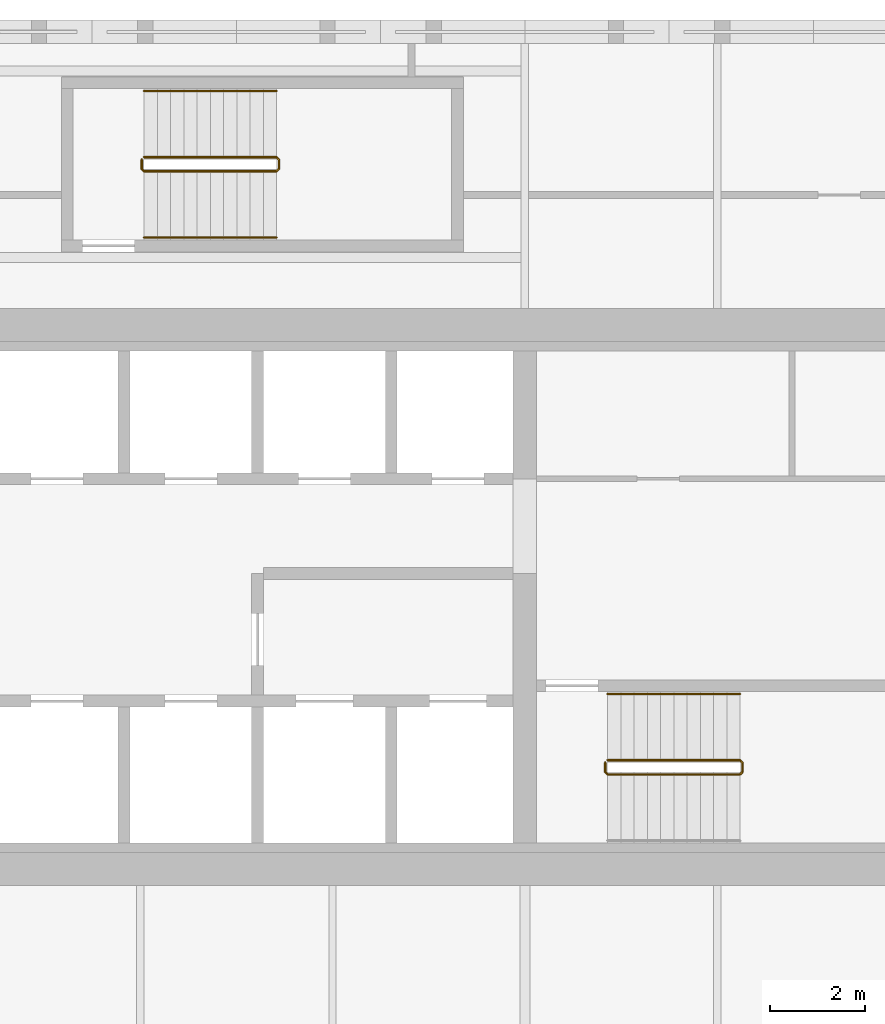
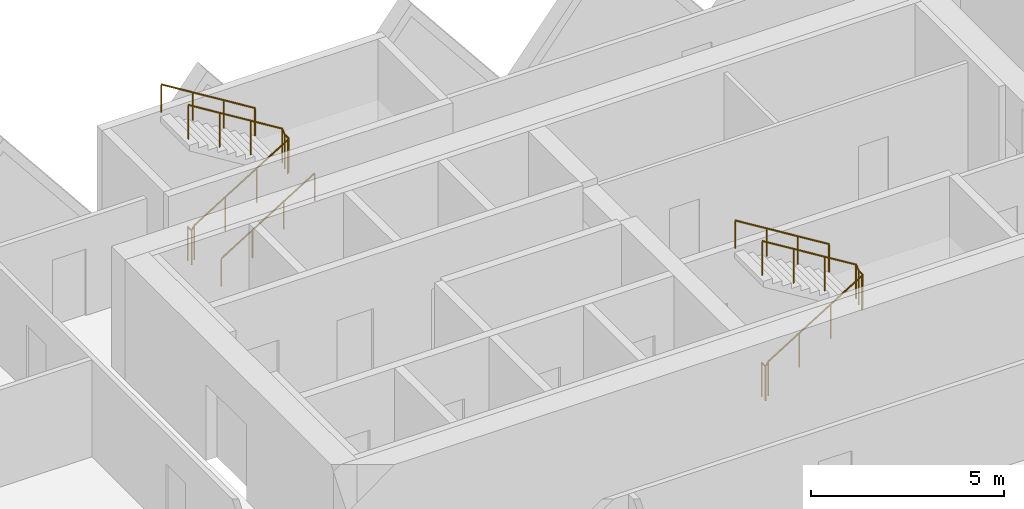
# One storey, part 18 of 18: 5 railings.
"""IFC4 building model written with IfcOpenShell, lengths in metres."""

from ifc_helpers import new_model, si_unit, direction, frame, origin, origin_2d, place, context, subcontext, project, spatial, circle, extrude, material, type_object, element, save


model = new_model("IFC4")

# Units and contexts
model_context = context("Model", 3, precision=1e-05, world=origin(), true_north=direction((0.0, 1.0)))
body_context = subcontext(model_context, "Body", "Model", "MODEL_VIEW")
ifc_project = project(units=[si_unit("LENGTHUNIT", "METRE"), si_unit("AREAUNIT", "SQUARE_METRE"), si_unit("VOLUMEUNIT", "CUBIC_METRE"), si_unit("PLANEANGLEUNIT", "RADIAN"), si_unit("MASSUNIT", "GRAM", prefix="KILO")], contexts=[model_context])

# Site, building, storey
site_placement = place(None, origin())
site = spatial("IfcSite", under=ifc_project, at=site_placement, CompositionType="ELEMENT")
building_placement = place(site_placement, origin())
building = spatial("IfcBuilding", under=site, at=building_placement, Name="Tessera Gate Towers", CompositionType="ELEMENT")
storey_placement = place(building_placement, frame((0.0, 0.0, 41.0)))
storey = spatial("IfcBuildingStorey", under=building, at=storey_placement, Name="L09", CompositionType="ELEMENT", Elevation=41.0)

# Railings
ifc_material_1 = material(Name="Steel 350W", Category="steel")
railing_type_1 = type_object("IfcRailingType", Name="STAIR GUARD 1100", PredefinedType="GUARDRAIL", material=ifc_material_1)
railing_1_placement = place(storey_placement, frame((111.5, 39.199951171875, 0.0)))
element("IfcRailing", 1, at=railing_1_placement, inside=storey, type_object=railing_type_1, Name="L09 ST6 stair guard 1", PredefinedType="GUARDRAIL", context=body_context, shape_type="SweptSolid", body=[
    extrude(circle(Radius=0.02392578125, at=origin_2d()), frame((0.0, 0.0, 1.076171875), z_axis=(0.0, -1.0, 0.0), x_axis=(1.0, 0.0, 0.0)), (0.0, 0.0, 1.0), 0.199951171875),
    extrude(circle(Radius=0.02392578125, at=origin_2d()), frame((0.0, -0.199951171875, 1.076171875), z_axis=(0.268277960024, -0.268277960024, 0.925231793839), x_axis=(0.707106781187, 0.707106781187, 0.0)), (0.0, 0.0, 1.0), 0.1865234375),
    extrude(circle(Radius=0.02392578125, at=origin_2d()), frame((0.050048828125, -0.25, 1.24853515625), z_axis=(0.851089632645, 0.0, 0.525020415988), x_axis=(0.0, 1.0, 0.0)), (0.0, 0.0, 1.0), 3.2900390625),
    extrude(circle(Radius=0.02392578125, at=origin_2d()), frame((2.85009765625, -0.25, 2.97607421875), z_axis=(0.705375805398, 0.708833529934, 0.0), x_axis=(-0.708833529934, 0.705375805398, 0.0)), (0.0, 0.0, 1.0), 0.070556640625),
    extrude(circle(Radius=0.02392578125, at=origin_2d()), frame((2.89990234375, -0.199951171875, 2.97607421875), z_axis=(0.0, 1.0, 0.0), x_axis=(-1.0, 0.0, 0.0)), (0.0, 0.0, 1.0), 0.199951171875),
    extrude(circle(Radius=0.02392578125, at=origin_2d()), frame((2.89990234375, 0.0, 2.97607421875), z_axis=(-0.266739603011, 0.268047150085, 0.925743328097), x_axis=(-0.708833529934, -0.705375805398, 0.0)), (0.0, 0.0, 1.0), 0.186767578125),
    extrude(circle(Radius=0.02392578125, at=origin_2d()), frame((2.85009765625, 0.050048828125, 3.14892578125), z_axis=(-0.851089632645, 0.0, 0.525020415988), x_axis=(0.0, -1.0, 0.0)), (0.0, 0.0, 1.0), 3.2900390625),
    extrude(circle(Radius=0.02099609375, at=origin_2d()), origin(), (0.0, 0.0, 1.0), 1.052001953125),
    extrude(circle(Radius=0.02099609375, at=origin_2d()), frame((0.0, -0.199951171875, 0.0)), (0.0, 0.0, 1.0), 1.052001953125),
    extrude(circle(Radius=0.02099609375, at=origin_2d()), frame((0.050048828125, -0.25, 0.172607421875)), (0.0, 0.0, 1.0), 1.052001953125),
    extrude(circle(Radius=0.02099609375, at=origin_2d()), frame((0.9833984375, -0.25, 0.748291015625)), (0.0, 0.0, 1.0), 1.052001953125),
    extrude(circle(Radius=0.02099609375, at=origin_2d()), frame((1.916748046875, -0.25, 1.32421875)), (0.0, 0.0, 1.0), 1.052001953125),
    extrude(circle(Radius=0.02099609375, at=origin_2d()), frame((2.85009765625, -0.25, 1.89990234375)), (0.0, 0.0, 1.0), 1.052001953125),
    extrude(circle(Radius=0.02099609375, at=origin_2d()), frame((2.89990234375, -0.199951171875, 1.89990234375)), (0.0, 0.0, 1.0), 1.052001953125),
    extrude(circle(Radius=0.02099609375, at=origin_2d()), frame((2.89990234375, 0.0, 1.89990234375)), (0.0, 0.0, 1.0), 1.052001953125),
    extrude(circle(Radius=0.02099609375, at=origin_2d()), frame((2.85009765625, 0.050048828125, 2.07275390625)), (0.0, 0.0, 1.0), 1.052001953125),
    extrude(circle(Radius=0.02099609375, at=origin_2d()), frame((1.916748046875, 0.050048828125, 2.6484375)), (0.0, 0.0, 1.0), 1.052001953125),
    extrude(circle(Radius=0.02099609375, at=origin_2d()), frame((0.9833984375, 0.050048828125, 3.224365234375)), (0.0, 0.0, 1.0), 1.052001953125),
    extrude(circle(Radius=0.02099609375, at=origin_2d()), frame((0.050048828125, 0.050048828125, 3.800048828125)), (0.0, 0.0, 1.0), 1.052001953125),
])
railing_2_placement = place(storey_placement, frame((101.699951171875, 51.949951171875, 0.0)))
element("IfcRailing", 2, at=railing_2_placement, inside=storey, type_object=railing_type_1, Name="L09 ST7 stair guard 1", PredefinedType="GUARDRAIL", context=body_context, shape_type="SweptSolid", body=[
    extrude(circle(Radius=0.02392578125, at=origin_2d()), frame((0.0, 0.0, 1.076171875), z_axis=(0.0, -1.0, 0.0), x_axis=(1.0, 0.0, 0.0)), (0.0, 0.0, 1.0), 0.199951171875),
    extrude(circle(Radius=0.02392578125, at=origin_2d()), frame((0.0, -0.199951171875, 1.076171875), z_axis=(0.268277960024, -0.268277960024, 0.925231793839), x_axis=(0.707106781187, 0.707106781187, 0.0)), (0.0, 0.0, 1.0), 0.1865234375),
    extrude(circle(Radius=0.02392578125, at=origin_2d()), frame((0.050048828125, -0.25, 1.24853515625), z_axis=(0.851089632645, 0.0, 0.525020415988), x_axis=(0.0, 1.0, 0.0)), (0.0, 0.0, 1.0), 3.2900390625),
    extrude(circle(Radius=0.02392578125, at=origin_2d()), frame((2.85009765625, -0.25, 2.97607421875), z_axis=(0.707106781187, 0.707106781187, 0.0), x_axis=(-0.707106781187, 0.707106781187, 0.0)), (0.0, 0.0, 1.0), 0.07080078125),
    extrude(circle(Radius=0.02392578125, at=origin_2d()), frame((2.900146484375, -0.199951171875, 2.97607421875), z_axis=(0.0, 1.0, 0.0), x_axis=(-1.0, 0.0, 0.0)), (0.0, 0.0, 1.0), 0.199951171875),
    extrude(circle(Radius=0.02392578125, at=origin_2d()), frame((2.900146484375, 0.0, 2.97607421875), z_axis=(-0.267953482034, 0.267953482034, 0.925419830635), x_axis=(-0.707106781187, -0.707106781187, 0.0)), (0.0, 0.0, 1.0), 0.186767578125),
    extrude(circle(Radius=0.02392578125, at=origin_2d()), frame((2.85009765625, 0.050048828125, 3.14892578125), z_axis=(-0.851089632645, 0.0, 0.525020415988), x_axis=(0.0, -1.0, 0.0)), (0.0, 0.0, 1.0), 3.2900390625),
    extrude(circle(Radius=0.02099609375, at=origin_2d()), origin(), (0.0, 0.0, 1.0), 1.052001953125),
    extrude(circle(Radius=0.02099609375, at=origin_2d()), frame((0.0, -0.199951171875, 0.0)), (0.0, 0.0, 1.0), 1.052001953125),
    extrude(circle(Radius=0.02099609375, at=origin_2d()), frame((0.050048828125, -0.25, 0.172607421875)), (0.0, 0.0, 1.0), 1.052001953125),
    extrude(circle(Radius=0.02099609375, at=origin_2d()), frame((0.9833984375, -0.25, 0.748291015625)), (0.0, 0.0, 1.0), 1.052001953125),
    extrude(circle(Radius=0.02099609375, at=origin_2d()), frame((1.916748046875, -0.25, 1.32421875)), (0.0, 0.0, 1.0), 1.052001953125),
    extrude(circle(Radius=0.02099609375, at=origin_2d()), frame((2.85009765625, -0.25, 1.89990234375)), (0.0, 0.0, 1.0), 1.052001953125),
    extrude(circle(Radius=0.02099609375, at=origin_2d()), frame((2.900146484375, -0.199951171875, 1.89990234375)), (0.0, 0.0, 1.0), 1.052001953125),
    extrude(circle(Radius=0.02099609375, at=origin_2d()), frame((2.900146484375, 0.0, 1.89990234375)), (0.0, 0.0, 1.0), 1.052001953125),
    extrude(circle(Radius=0.02099609375, at=origin_2d()), frame((2.85009765625, 0.050048828125, 2.07275390625)), (0.0, 0.0, 1.0), 1.052001953125),
    extrude(circle(Radius=0.02099609375, at=origin_2d()), frame((1.916748046875, 0.050048828125, 2.6484375)), (0.0, 0.0, 1.0), 1.052001953125),
    extrude(circle(Radius=0.02099609375, at=origin_2d()), frame((0.9833984375, 0.050048828125, 3.224365234375)), (0.0, 0.0, 1.0), 1.052001953125),
    extrude(circle(Radius=0.02099609375, at=origin_2d()), frame((0.050048828125, 0.050048828125, 3.800048828125)), (0.0, 0.0, 1.0), 1.052001953125),
])
ifc_material_2 = material(Name="Steel 350W", Category="steel")
railing_type_2 = type_object("IfcRailingType", Name="STAIR HANDRAIL 900", PredefinedType="HANDRAIL", material=ifc_material_2)
railing_3_placement = place(storey_placement, frame((114.35009765625, 40.64990234375, 2.07275390625)))
element("IfcRailing", 3, at=railing_3_placement, inside=storey, type_object=railing_type_2, Name="L09 ST6 stair handrail 2", PredefinedType="HANDRAIL", context=body_context, shape_type="SweptSolid", body=[
    extrude(circle(Radius=0.02392578125, at=origin_2d()), frame((0.0, 0.0, 0.8759765625), z_axis=(-0.851089632645, 0.0, 0.525020415988), x_axis=(0.0, -1.0, 0.0)), (0.0, 0.0, 1.0), 3.2900390625),
    extrude(circle(Radius=0.02099609375, at=origin_2d()), origin(), (0.0, 0.0, 1.0), 0.851806640625),
    extrude(circle(Radius=0.02099609375, at=origin_2d()), frame((-0.933349609375, 0.0, 0.57568359375)), (0.0, 0.0, 1.0), 0.851806640625),
    extrude(circle(Radius=0.02099609375, at=origin_2d()), frame((-1.86669921875, 0.0, 1.151611328125)), (0.0, 0.0, 1.0), 0.851806640625),
    extrude(circle(Radius=0.02099609375, at=origin_2d()), frame((-2.800048828125, 0.0, 1.727294921875)), (0.0, 0.0, 1.0), 0.851806640625),
])
railing_4_placement = place(storey_placement, frame((101.75, 50.300048828125, 0.172607421875)))
element("IfcRailing", 4, at=railing_4_placement, inside=storey, type_object=railing_type_2, Name="L09 ST7 stair handrail 1", PredefinedType="HANDRAIL", context=body_context, shape_type="SweptSolid", body=[
    extrude(circle(Radius=0.02392578125, at=origin_2d()), frame((0.0, 0.0, 0.8759765625), z_axis=(0.851089632645, 0.0, 0.525020415988), x_axis=(0.0, 1.0, 0.0)), (0.0, 0.0, 1.0), 3.2900390625),
    extrude(circle(Radius=0.02099609375, at=origin_2d()), origin(), (0.0, 0.0, 1.0), 0.851806640625),
    extrude(circle(Radius=0.02099609375, at=origin_2d()), frame((0.933349609375, 0.0, 0.57568359375)), (0.0, 0.0, 1.0), 0.851806640625),
    extrude(circle(Radius=0.02099609375, at=origin_2d()), frame((1.86669921875, 0.0, 1.151611328125)), (0.0, 0.0, 1.0), 0.851806640625),
    extrude(circle(Radius=0.02099609375, at=origin_2d()), frame((2.800048828125, 0.0, 1.727294921875)), (0.0, 0.0, 1.0), 0.851806640625),
])
railing_5_placement = place(storey_placement, frame((104.550048828125, 53.39990234375, 2.07275390625)))
element("IfcRailing", 5, at=railing_5_placement, inside=storey, type_object=railing_type_2, Name="L09 ST7 stair handrail 2", PredefinedType="HANDRAIL", context=body_context, shape_type="SweptSolid", body=[
    extrude(circle(Radius=0.02392578125, at=origin_2d()), frame((0.0, 0.0, 0.8759765625), z_axis=(-0.851089632645, 0.0, 0.525020415988), x_axis=(0.0, -1.0, 0.0)), (0.0, 0.0, 1.0), 3.2900390625),
    extrude(circle(Radius=0.02099609375, at=origin_2d()), origin(), (0.0, 0.0, 1.0), 0.851806640625),
    extrude(circle(Radius=0.02099609375, at=origin_2d()), frame((-0.933349609375, 0.0, 0.57568359375)), (0.0, 0.0, 1.0), 0.851806640625),
    extrude(circle(Radius=0.02099609375, at=origin_2d()), frame((-1.86669921875, 0.0, 1.151611328125)), (0.0, 0.0, 1.0), 0.851806640625),
    extrude(circle(Radius=0.02099609375, at=origin_2d()), frame((-2.800048828125, 0.0, 1.727294921875)), (0.0, 0.0, 1.0), 0.851806640625),
])

save(model, "model.ifc")
